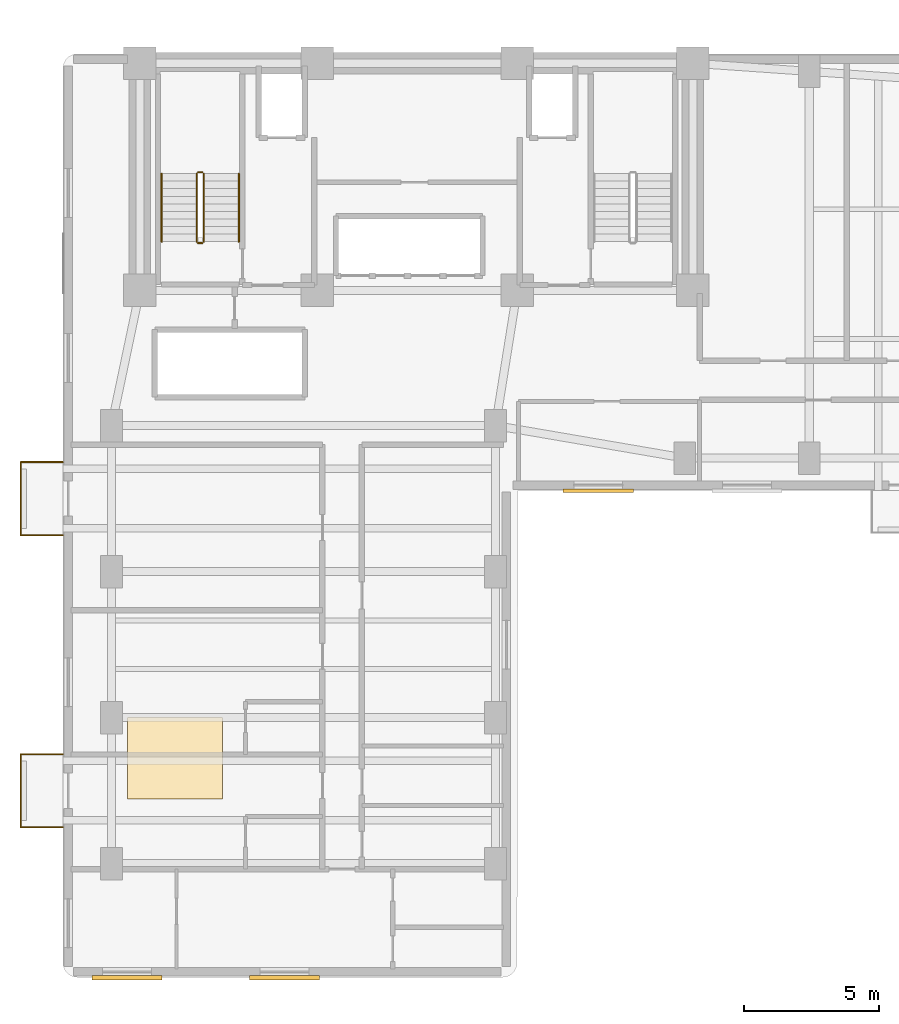
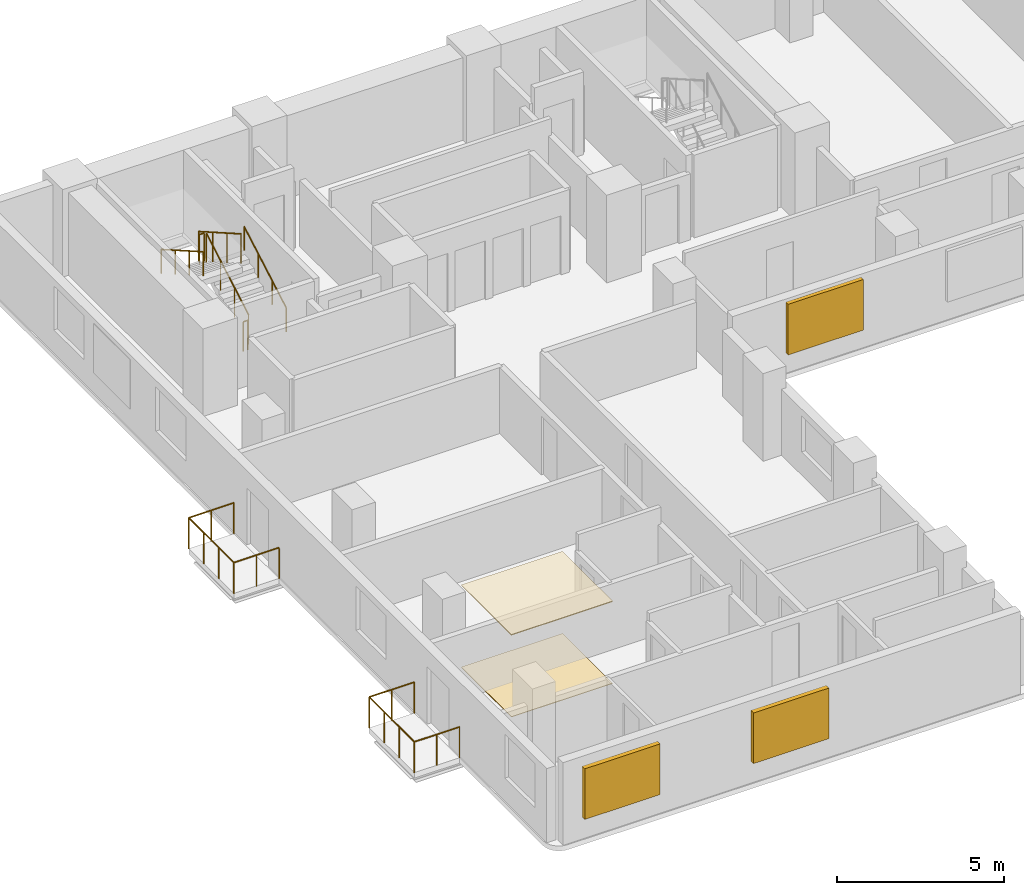
# One storey, part 7 of 9: 12 railings, 3 shading devices, 2 coverings.
"""IFC4 building model written with IfcOpenShell, lengths in metres."""

from ifc_helpers import new_model, si_unit, direction, frame, origin, origin_2d, place, context, subcontext, project, spatial, polyline, rectangle, circle, outline, extrude, material, layer, layer_set, type_object, element, save


model = new_model("IFC4")

# Units and contexts
model_context = context("Model", 3, precision=1e-05, world=origin(), true_north=direction((0.0, 1.0)))
body_context = subcontext(model_context, "Body", "Model", "MODEL_VIEW")
ifc_project = project(units=[si_unit("LENGTHUNIT", "METRE"), si_unit("AREAUNIT", "SQUARE_METRE"), si_unit("VOLUMEUNIT", "CUBIC_METRE"), si_unit("PLANEANGLEUNIT", "RADIAN"), si_unit("MASSUNIT", "GRAM", prefix="KILO")], contexts=[model_context])

# Site, building, storey
site_placement = place(None, origin())
site = spatial("IfcSite", under=ifc_project, at=site_placement, CompositionType="ELEMENT")
building_placement = place(site_placement, origin())
building = spatial("IfcBuilding", under=site, at=building_placement, Name="Kuzgunbayir Cultural Tower", CompositionType="ELEMENT")
storey_placement = place(building_placement, frame((0.0, 0.0, 96.199951171875)))
storey = spatial("IfcBuildingStorey", under=building, at=storey_placement, Name="L27", CompositionType="ELEMENT", Elevation=96.199951171875)

# Coverings
ifc_material_1 = material(Name="Perforated Gypsum Acoustic Tile", Category="gypsum")
ifc_layer_1 = layer(ifc_material_1, 0.02490234375)
ifc_layer_set_1 = layer_set([ifc_layer_1], Name="Perforated Gypsum Acoustic Tile")
covering_type_1 = type_object("IfcCoveringType", Name="COV-CEIL-ACOUSTIC", PredefinedType="CEILING", material=ifc_layer_set_1)
covering_1_placement = place(storey_placement, frame((0.0, 0.0, 2.989990234375)))
element("IfcCovering", 1, at=covering_1_placement, inside=storey, type_object=covering_type_1, Name="L27 Acoustic Soffit Ceiling", PredefinedType="CEILING", context=body_context, shape_type="SweptSolid", body=[
    extrude(outline(polyline([(6.0, 15.0), (9.5, 15.0), (9.5, 18.0), (6.0, 18.0), (6.0, 15.0)])), origin(), (0.0, 0.0, 1.0), 0.030029296875),
])
ifc_material_2 = material(Name="Engineered Anatolian Oak Parquet", Category="wood")
ifc_layer_2 = layer(ifc_material_2, 0.02197265625)
ifc_layer_set_2 = layer_set([ifc_layer_2], Name="Engineered Anatolian Oak Parquet")
covering_type_2 = type_object("IfcCoveringType", Name="COV-FLOOR-OAK", PredefinedType="FLOORING", material=ifc_layer_set_2)
covering_2_placement = place(storey_placement, origin())
element("IfcCovering", 2, at=covering_2_placement, inside=storey, type_object=covering_type_2, Name="L27 Acoustic Floor Finish", PredefinedType="FLOORING", context=body_context, shape_type="SweptSolid", body=[
    extrude(outline(polyline([(6.0, 15.0), (9.5, 15.0), (9.5, 18.0), (6.0, 18.0), (6.0, 15.0)])), origin(), (0.0, 0.0, 1.0), 0.02001953125),
])

# Railings
ifc_material_3 = material(Name="Laminated Glass and Stainless Steel", Category="steel")
ifc_layer_3 = layer(ifc_material_3, 0.080078125)
ifc_layer_set_3 = layer_set([ifc_layer_3], Name="Laminated Glass and Stainless Steel")
railing_type_1 = type_object("IfcRailingType", Name="RLG-BAL-115", PredefinedType="BALUSTRADE", material=ifc_layer_set_3)
railing_1_placement = place(storey_placement, frame((3.60009765625, 13.949951171875, 0.0)))
element("IfcRailing", 3, at=railing_1_placement, inside=storey, type_object=railing_type_1, Name="L27 Balcony Guard BAL-L27-WA1 Segment 1", PredefinedType="BALUSTRADE", context=body_context, shape_type="SweptSolid", body=[
    extrude(circle(Radius=0.02392578125, at=origin_2d()), frame((0.0, 0.0, 1.1259765625), z_axis=(-1.0, 0.0, 0.0), x_axis=(0.0, -1.0, 0.0)), (0.0, 0.0, 1.0), 1.56005859375),
    extrude(circle(Radius=0.02099609375, at=origin_2d()), origin(), (0.0, 0.0, 1.0), 1.101806640625),
    extrude(circle(Radius=0.02099609375, at=origin_2d()), frame((-0.780029296875, 0.0, 0.0)), (0.0, 0.0, 1.0), 1.101806640625),
    extrude(circle(Radius=0.02099609375, at=origin_2d()), frame((-1.56005859375, 0.0, 0.0)), (0.0, 0.0, 1.0), 1.101806640625),
])
railing_2_placement = place(storey_placement, frame((2.0400390625, 13.949951171875, 0.0)))
element("IfcRailing", 4, at=railing_2_placement, inside=storey, type_object=railing_type_1, Name="L27 Balcony Guard BAL-L27-WA1 Segment 2", PredefinedType="BALUSTRADE", context=body_context, shape_type="SweptSolid", body=[
    extrude(circle(Radius=0.02392578125, at=origin_2d()), frame((0.0, 0.0, 1.1259765625), z_axis=(0.0, 1.0, 0.0), x_axis=(-1.0, 0.0, 0.0)), (0.0, 0.0, 1.0), 2.699951171875),
    extrude(circle(Radius=0.02099609375, at=origin_2d()), origin(), (0.0, 0.0, 1.0), 1.101806640625),
    extrude(circle(Radius=0.02099609375, at=origin_2d()), frame((0.0, 0.89990234375, 0.0)), (0.0, 0.0, 1.0), 1.101806640625),
    extrude(circle(Radius=0.02099609375, at=origin_2d()), frame((0.0, 1.800048828125, 0.0)), (0.0, 0.0, 1.0), 1.101806640625),
    extrude(circle(Radius=0.02099609375, at=origin_2d()), frame((0.0, 2.699951171875, 0.0)), (0.0, 0.0, 1.0), 1.101806640625),
])
railing_3_placement = place(storey_placement, frame((2.0400390625, 16.64990234375, 0.0)))
element("IfcRailing", 5, at=railing_3_placement, inside=storey, type_object=railing_type_1, Name="L27 Balcony Guard BAL-L27-WA1 Segment 3", PredefinedType="BALUSTRADE", context=body_context, shape_type="SweptSolid", body=[
    extrude(circle(Radius=0.02392578125, at=origin_2d()), frame((0.0, 0.0, 1.1259765625), z_axis=(1.0, 0.0, 0.0), x_axis=(0.0, 1.0, 0.0)), (0.0, 0.0, 1.0), 1.56005859375),
    extrude(circle(Radius=0.02099609375, at=origin_2d()), origin(), (0.0, 0.0, 1.0), 1.101806640625),
    extrude(circle(Radius=0.02099609375, at=origin_2d()), frame((0.780029296875, 0.0, 0.0)), (0.0, 0.0, 1.0), 1.101806640625),
    extrude(circle(Radius=0.02099609375, at=origin_2d()), frame((1.56005859375, 0.0, 0.0)), (0.0, 0.0, 1.0), 1.101806640625),
])
railing_4_placement = place(storey_placement, frame((3.60009765625, 24.75, 0.0)))
element("IfcRailing", 6, at=railing_4_placement, inside=storey, type_object=railing_type_1, Name="L27 Balcony Guard BAL-L27-WA3 Segment 1", PredefinedType="BALUSTRADE", context=body_context, shape_type="SweptSolid", body=[
    extrude(circle(Radius=0.02392578125, at=origin_2d()), frame((0.0, 0.0, 1.1259765625), z_axis=(-1.0, 0.0, 0.0), x_axis=(0.0, -1.0, 0.0)), (0.0, 0.0, 1.0), 1.56005859375),
    extrude(circle(Radius=0.02099609375, at=origin_2d()), origin(), (0.0, 0.0, 1.0), 1.101806640625),
    extrude(circle(Radius=0.02099609375, at=origin_2d()), frame((-0.780029296875, 0.0, 0.0)), (0.0, 0.0, 1.0), 1.101806640625),
    extrude(circle(Radius=0.02099609375, at=origin_2d()), frame((-1.56005859375, 0.0, 0.0)), (0.0, 0.0, 1.0), 1.101806640625),
])
railing_5_placement = place(storey_placement, frame((2.0400390625, 24.75, 0.0)))
element("IfcRailing", 7, at=railing_5_placement, inside=storey, type_object=railing_type_1, Name="L27 Balcony Guard BAL-L27-WA3 Segment 2", PredefinedType="BALUSTRADE", context=body_context, shape_type="SweptSolid", body=[
    extrude(circle(Radius=0.02392578125, at=origin_2d()), frame((0.0, 0.0, 1.1259765625), z_axis=(0.0, 1.0, 0.0), x_axis=(-1.0, 0.0, 0.0)), (0.0, 0.0, 1.0), 2.699951171875),
    extrude(circle(Radius=0.02099609375, at=origin_2d()), origin(), (0.0, 0.0, 1.0), 1.101806640625),
    extrude(circle(Radius=0.02099609375, at=origin_2d()), frame((0.0, 0.89990234375, 0.0)), (0.0, 0.0, 1.0), 1.101806640625),
    extrude(circle(Radius=0.02099609375, at=origin_2d()), frame((0.0, 1.800048828125, 0.0)), (0.0, 0.0, 1.0), 1.101806640625),
    extrude(circle(Radius=0.02099609375, at=origin_2d()), frame((0.0, 2.699951171875, 0.0)), (0.0, 0.0, 1.0), 1.101806640625),
])
railing_6_placement = place(storey_placement, frame((2.0400390625, 27.449951171875, 0.0)))
element("IfcRailing", 8, at=railing_6_placement, inside=storey, type_object=railing_type_1, Name="L27 Balcony Guard BAL-L27-WA3 Segment 3", PredefinedType="BALUSTRADE", context=body_context, shape_type="SweptSolid", body=[
    extrude(circle(Radius=0.02392578125, at=origin_2d()), frame((0.0, 0.0, 1.1259765625), z_axis=(1.0, 0.0, 0.0), x_axis=(0.0, 1.0, 0.0)), (0.0, 0.0, 1.0), 1.56005859375),
    extrude(circle(Radius=0.02099609375, at=origin_2d()), origin(), (0.0, 0.0, 1.0), 1.101806640625),
    extrude(circle(Radius=0.02099609375, at=origin_2d()), frame((0.780029296875, 0.0, 0.0)), (0.0, 0.0, 1.0), 1.101806640625),
    extrude(circle(Radius=0.02099609375, at=origin_2d()), frame((1.56005859375, 0.0, 0.0)), (0.0, 0.0, 1.0), 1.101806640625),
])
ifc_material_4 = material(Name="Brushed Stainless Steel", Category="steel")
ifc_layer_4 = layer(ifc_material_4, 0.050048828125)
ifc_layer_set_4 = layer_set([ifc_layer_4], Name="Brushed Stainless Steel")
railing_type_2 = type_object("IfcRailingType", Name="RLG-STAIR-HANDRAIL", PredefinedType="HANDRAIL", material=ifc_layer_set_4)
railing_7_placement = place(storey_placement, frame((10.110107421875, 35.60009765625, 0.16015625)))
element("IfcRailing", 9, at=railing_7_placement, inside=storey, type_object=railing_type_2, Name="L27 ST-1 stair handrail 1", PredefinedType="HANDRAIL", context=body_context, shape_type="SweptSolid", body=[
    extrude(circle(Radius=0.02392578125, at=origin_2d()), frame((0.0, 0.0, 0.8759765625), z_axis=(0.0, 0.868253494771, 0.496120820787), x_axis=(-1.0, 0.0, 0.0)), (0.0, 0.0, 1.0), 2.90234375),
    extrude(circle(Radius=0.02099609375, at=origin_2d()), origin(), (0.0, 0.0, 1.0), 0.851806640625),
    extrude(circle(Radius=0.02099609375, at=origin_2d()), frame((0.0, 0.840087890625, 0.47998046875)), (0.0, 0.0, 1.0), 0.851806640625),
    extrude(circle(Radius=0.02099609375, at=origin_2d()), frame((0.0, 1.679931640625, 0.9599609375)), (0.0, 0.0, 1.0), 0.851806640625),
    extrude(circle(Radius=0.02099609375, at=origin_2d()), frame((0.0, 2.52001953125, 1.43994140625)), (0.0, 0.0, 1.0), 0.851806640625),
])
railing_8_placement = place(storey_placement, frame((7.25, 38.1201171875, 1.760009765625)))
element("IfcRailing", 10, at=railing_8_placement, inside=storey, type_object=railing_type_2, Name="L27 ST-1 stair handrail 2", PredefinedType="HANDRAIL", context=body_context, shape_type="SweptSolid", body=[
    extrude(circle(Radius=0.02392578125, at=origin_2d()), frame((0.0, 0.0, 0.8759765625), z_axis=(0.0, -0.868253494771, 0.496120820787), x_axis=(1.0, 0.0, 0.0)), (0.0, 0.0, 1.0), 2.90234375),
    extrude(circle(Radius=0.02099609375, at=origin_2d()), origin(), (0.0, 0.0, 1.0), 0.851806640625),
    extrude(circle(Radius=0.02099609375, at=origin_2d()), frame((0.0, -0.840087890625, 0.47998046875)), (0.0, 0.0, 1.0), 0.851806640625),
    extrude(circle(Radius=0.02099609375, at=origin_2d()), frame((0.0, -1.679931640625, 0.9599609375)), (0.0, 0.0, 1.0), 0.851806640625),
    extrude(circle(Radius=0.02099609375, at=origin_2d()), frame((0.0, -2.52001953125, 1.43994140625)), (0.0, 0.0, 1.0), 0.851806640625),
])
ifc_material_5 = material(Name="Painted Steel Balustrade", Category="steel")
ifc_layer_5 = layer(ifc_material_5, 0.06005859375)
ifc_layer_set_5 = layer_set([ifc_layer_5], Name="Painted Steel Balustrade")
railing_type_3 = type_object("IfcRailingType", Name="RLG-WELL-GUARD", PredefinedType="GUARDRAIL", material=ifc_layer_set_5)
railing_9_placement = place(storey_placement, frame((8.81005859375, 35.60009765625, 0.16015625)))
element("IfcRailing", 11, at=railing_9_placement, inside=storey, type_object=railing_type_3, Name="L27 ST-1 stair guard 1", PredefinedType="GUARDRAIL", context=body_context, shape_type="SweptSolid", body=[
    extrude(circle(Radius=0.02392578125, at=origin_2d()), frame((0.0, 0.0, 1.076171875), z_axis=(0.0, 0.868253494771, 0.496120820787), x_axis=(-1.0, 0.0, 0.0)), (0.0, 0.0, 1.0), 2.90234375),
    extrude(circle(Radius=0.02099609375, at=origin_2d()), origin(), (0.0, 0.0, 1.0), 1.052001953125),
    extrude(circle(Radius=0.02099609375, at=origin_2d()), frame((0.0, 0.840087890625, 0.47998046875)), (0.0, 0.0, 1.0), 1.052001953125),
    extrude(circle(Radius=0.02099609375, at=origin_2d()), frame((0.0, 1.679931640625, 0.9599609375)), (0.0, 0.0, 1.0), 1.052001953125),
    extrude(circle(Radius=0.02099609375, at=origin_2d()), frame((0.0, 2.52001953125, 1.43994140625)), (0.0, 0.0, 1.0), 1.052001953125),
])
railing_10_placement = place(storey_placement, frame((8.760009765625, 38.169921875, 1.60009765625)))
element("IfcRailing", 12, at=railing_10_placement, inside=storey, type_object=railing_type_3, Name="L27 ST-1 stair guard 2", PredefinedType="GUARDRAIL", context=body_context, shape_type="SweptSolid", body=[
    extrude(circle(Radius=0.02392578125, at=origin_2d()), frame((0.0, 0.0, 1.076171875), z_axis=(-1.0, 0.0, 0.0), x_axis=(0.0, -1.0, 0.0)), (0.0, 0.0, 1.0), 0.159912109375),
    extrude(circle(Radius=0.02099609375, at=origin_2d()), origin(), (0.0, 0.0, 1.0), 1.052001953125),
    extrude(circle(Radius=0.02099609375, at=origin_2d()), frame((-0.159912109375, 0.0, 0.0)), (0.0, 0.0, 1.0), 1.052001953125),
])
railing_11_placement = place(storey_placement, frame((8.550048828125, 38.1201171875, 1.760009765625)))
element("IfcRailing", 13, at=railing_11_placement, inside=storey, type_object=railing_type_3, Name="L27 ST-1 stair guard 3", PredefinedType="GUARDRAIL", context=body_context, shape_type="SweptSolid", body=[
    extrude(circle(Radius=0.02392578125, at=origin_2d()), frame((0.0, 0.0, 1.076171875), z_axis=(0.0, -0.868253494771, 0.496120820787), x_axis=(1.0, 0.0, 0.0)), (0.0, 0.0, 1.0), 2.90234375),
    extrude(circle(Radius=0.02099609375, at=origin_2d()), origin(), (0.0, 0.0, 1.0), 1.052001953125),
    extrude(circle(Radius=0.02099609375, at=origin_2d()), frame((0.0, -0.840087890625, 0.47998046875)), (0.0, 0.0, 1.0), 1.052001953125),
    extrude(circle(Radius=0.02099609375, at=origin_2d()), frame((0.0, -1.679931640625, 0.9599609375)), (0.0, 0.0, 1.0), 1.052001953125),
    extrude(circle(Radius=0.02099609375, at=origin_2d()), frame((0.0, -2.52001953125, 1.43994140625)), (0.0, 0.0, 1.0), 1.052001953125),
])
railing_12_placement = place(storey_placement, frame((8.760009765625, 35.550048828125, 0.0)))
element("IfcRailing", 14, at=railing_12_placement, inside=storey, type_object=railing_type_3, Name="L27 ST-1 stair guard 4", PredefinedType="GUARDRAIL", context=body_context, shape_type="SweptSolid", body=[
    extrude(circle(Radius=0.02392578125, at=origin_2d()), frame((0.0, 0.0, 1.076171875), z_axis=(-1.0, 0.0, 0.0), x_axis=(0.0, -1.0, 0.0)), (0.0, 0.0, 1.0), 0.159912109375),
    extrude(circle(Radius=0.02099609375, at=origin_2d()), origin(), (0.0, 0.0, 1.0), 1.052001953125),
    extrude(circle(Radius=0.02099609375, at=origin_2d()), frame((-0.159912109375, 0.0, 0.0)), (0.0, 0.0, 1.0), 1.052001953125),
])

# Shading devices
ifc_material_6 = material(Name="Perforated Bronze-Anodised Aluminium", Category="aluminium")
shading_device_type_1 = type_object("IfcShadingDeviceType", Name="SHD-SOLAR-BRONZE", PredefinedType="JALOUSIE", material=ifc_material_6)
shading_device_placement = place(storey_placement, frame((23.39990234375, 26.389892578125, 0.735107421875), z_axis=(0.0, 0.0, 1.0), x_axis=(1.0, 0.0, 0.0)))
element("IfcShadingDevice", 15, at=shading_device_placement, inside=storey, type_object=shading_device_type_1, Name="L27 Solar Screen WBS10", PredefinedType="JALOUSIE", context=body_context, shape_type="SweptSolid", body=[
    extrude(rectangle(XDim=2.60009765625, YDim=0.139892578125, at=origin_2d()), origin(), (0.0, 0.0, 1.0), 1.85009765625),
])
ifc_material_7 = material(Name="Warm Terracotta Ceramic Baguette", Category="masonry")
shading_device_type_2 = type_object("IfcShadingDeviceType", Name="SHD-SOLAR-CERAMIC", PredefinedType="SHUTTER", material=ifc_material_7)
for number, where, z_axis, x_axis, name in (
    (16, (5.969970703125, 8.3798828125, 0.794921875), (0.0, 0.0, 1.0), (1.0, 0.0, 0.0), "L27 Solar Screen WAS2"),
    (17, (11.800048828125, 8.3798828125, 0.794921875), (0.0, 0.0, 1.0), (1.0, 0.0, 0.0), "L27 Solar Screen WAS3"),
):
    element("IfcShadingDevice", number, at=place(storey_placement, frame(where, z_axis=z_axis, x_axis=x_axis)), inside=storey, type_object=shading_device_type_2, Name=name, PredefinedType="SHUTTER", context=body_context, shape_type="SweptSolid", body=[
        extrude(rectangle(XDim=2.60009765625, YDim=0.159912109375, at=origin_2d()), origin(), (0.0, 0.0, 1.0), 1.85009765625),
    ])

save(model, "model.ifc")
